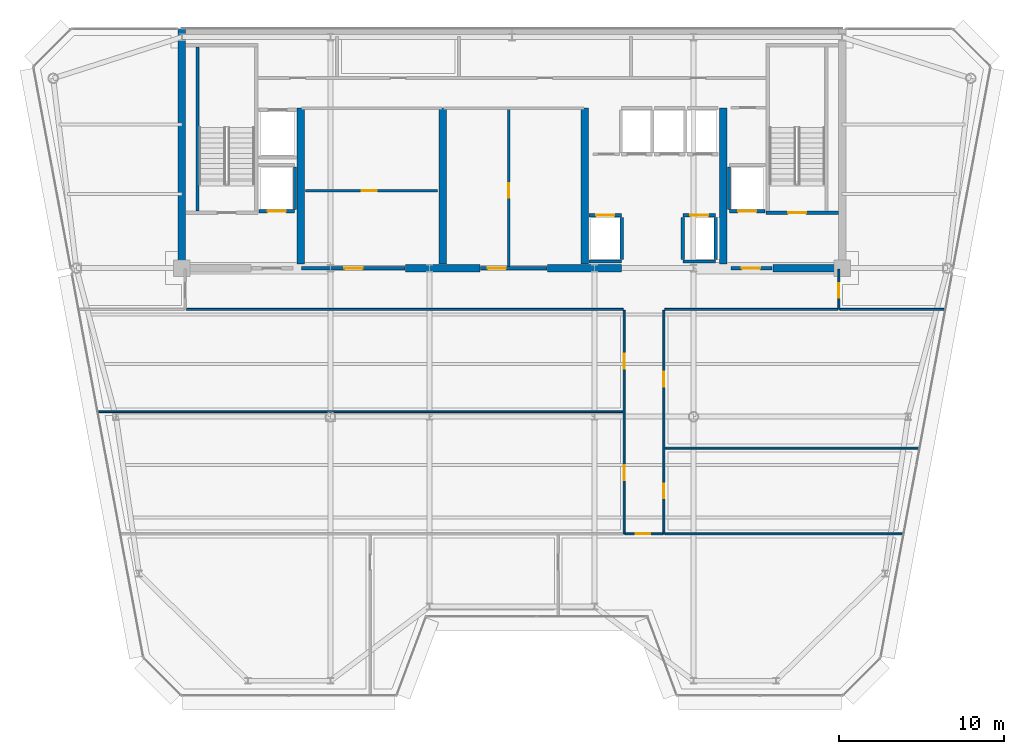
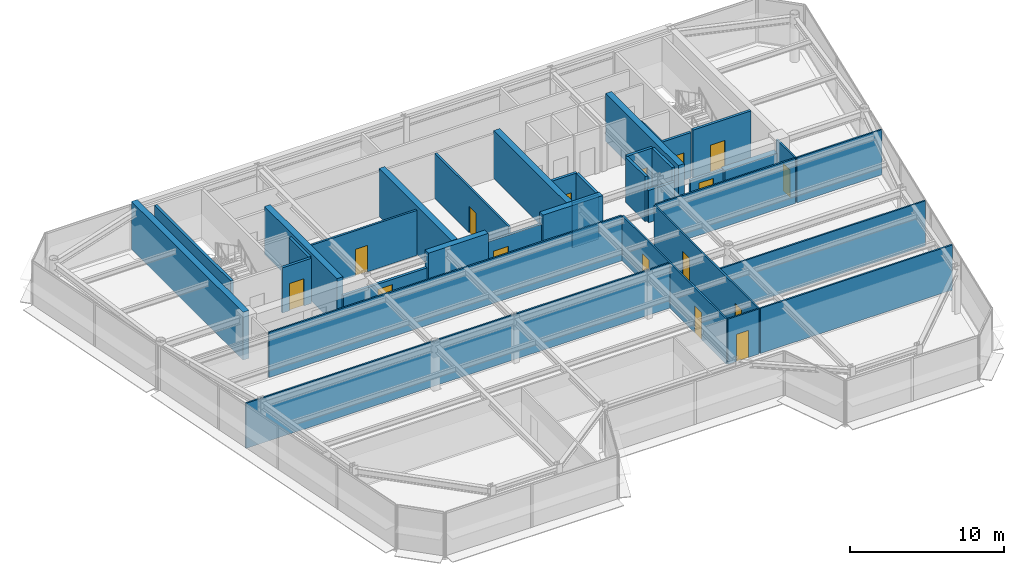
# One storey, part 10 of 18: 36 walls, 16 doors, 16 openings.
"""IFC4 building model written with IfcOpenShell, lengths in metres."""

from ifc_helpers import new_model, si_unit, direction, frame, frame_2d, origin, place, context, subcontext, project, spatial, rectangle, extrude, source, transform, mapped, material, layer, layer_set, type_object, element, fill, save


model = new_model("IFC4")

# Units and contexts
model_context = context("Model", 3, precision=1e-05, world=origin(), true_north=direction((0.0, 1.0)))
body_context = subcontext(model_context, "Body", "Model", "MODEL_VIEW")
ifc_project = project(units=[si_unit("LENGTHUNIT", "METRE"), si_unit("AREAUNIT", "SQUARE_METRE"), si_unit("VOLUMEUNIT", "CUBIC_METRE"), si_unit("PLANEANGLEUNIT", "RADIAN"), si_unit("MASSUNIT", "GRAM", prefix="KILO")], contexts=[model_context])

# Site, building, storey
site_placement = place(None, origin())
site = spatial("IfcSite", under=ifc_project, at=site_placement, CompositionType="ELEMENT")
building_placement = place(site_placement, origin())
building = spatial("IfcBuilding", under=site, at=building_placement, Name="Vaeldorn Concourse Tower", CompositionType="ELEMENT")
storey_placement = place(building_placement, frame((0.0, 0.0, 253.60009765625)))
storey = spatial("IfcBuildingStorey", under=building, at=storey_placement, Name="L65", CompositionType="ELEMENT", Elevation=253.60009765625)

# Walls
ifc_material_1 = material(Name="Concrete C50/60", Category="concrete")
ifc_layer_1 = layer(ifc_material_1, 0.449951171875)
ifc_layer_set_1 = layer_set([ifc_layer_1], Name="Concrete C50/60")
wall_type_1 = type_object("IfcWallType", Name="WL-CORE-450", PredefinedType="SHEAR", material=ifc_layer_set_1)
wall_1_placement = place(storey_placement, frame((14.0, 36.5, 0.0), z_axis=(0.0, 0.0, 1.0), x_axis=(0.0, 1.0, 0.0)))
element("IfcWall", 1, at=wall_1_placement, inside=storey, type_object=wall_type_1, Name="Rear Core Shear Wall L65 W1", PredefinedType="SHEAR", context=body_context, shape_type="SweptSolid", body=[
    extrude(rectangle(XDim=14.5, YDim=0.449951171875, at=frame_2d((7.25, 0.0))), origin(), (0.0, 0.0, 1.0), 3.7998046875),
])
for number, where, z_axis, x_axis, name in (
    (2, (27.550048828125, 36.5, 0.0), (0.0, 0.0, 1.0), (1.0, 0.0, 0.0), "Rear Core Shear Wall L65 S2"),
    (3, (36.14990234375, 36.5, 0.0), (0.0, 0.0, 1.0), (1.0, 0.0, 0.0), "Rear Core Shear Wall L65 S3"),
):
    element("IfcWall", number, at=place(storey_placement, frame(where, z_axis=z_axis, x_axis=x_axis)), inside=storey, type_object=wall_type_1, Name=name, PredefinedType="SHEAR", context=body_context, shape_type="SweptSolid", body=[
        extrude(rectangle(XDim=4.5, YDim=0.449951171875, at=frame_2d((2.25, 0.0))), origin(), (0.0, 0.0, 1.0), 3.7998046875),
    ])
wall_2_placement = place(storey_placement, frame((49.800048828125, 36.5, 0.0), z_axis=(0.0, 0.0, 1.0), x_axis=(1.0, 0.0, 0.0)))
element("IfcWall", 4, at=wall_2_placement, inside=storey, type_object=wall_type_1, Name="Rear Core Shear Wall L65 S4", PredefinedType="SHEAR", context=body_context, shape_type="SweptSolid", body=[
    extrude(rectangle(XDim=3.954833984375, YDim=0.449951171875, at=frame_2d((1.9775390625, 0.0))), origin(), (0.0, 0.0, 1.0), 2.579833984375),
])
for number, where, z_axis, x_axis, name in (
    (5, (21.199951171875, 36.7451171875, 0.0), (0.0, 0.0, 1.0), (0.0, 1.0, 0.0), "Rear Core Shear Wall L65 M1"),
    (6, (29.800048828125, 36.7451171875, 0.0), (0.0, 0.0, 1.0), (0.0, 1.0, 0.0), "Rear Core Shear Wall L65 M2"),
    (7, (38.39990234375, 36.7451171875, 0.0), (0.0, 0.0, 1.0), (0.0, 1.0, 0.0), "Rear Core Shear Wall L65 M3"),
    (8, (46.800048828125, 36.7451171875, 0.0), (0.0, 0.0, 1.0), (0.0, 1.0, 0.0), "Rear Core Shear Wall L65 M4"),
):
    element("IfcWall", number, at=place(storey_placement, frame(where, z_axis=z_axis, x_axis=x_axis)), inside=storey, type_object=wall_type_1, Name=name, PredefinedType="SHEAR", context=body_context, shape_type="SweptSolid", body=[
        extrude(rectangle(XDim=9.454833984375, YDim=0.449951171875, at=frame_2d((4.7275390625, 0.0))), origin(), (0.0, 0.0, 1.0), 3.7998046875),
    ])
ifc_material_2 = material(Name="Gypsum Board Partition", Category="gypsum")
ifc_layer_2 = layer(ifc_material_2, 0.1201171875)
ifc_layer_set_2 = layer_set([ifc_layer_2], Name="Gypsum Board Partition")
wall_type_2 = type_object("IfcWallType", Name="WL-PART-120", PredefinedType="PARTITIONING", material=ifc_layer_set_2)
wall_3_placement = place(storey_placement, frame((14.260009765625, 34.0, 0.0), z_axis=(0.0, 0.0, 1.0), x_axis=(1.0, 0.0, 0.0)))
element("IfcWall", 9, at=wall_3_placement, inside=storey, type_object=wall_type_2, Name="Interior Wall PW-L65-C3SW", PredefinedType="PARTITIONING", context=body_context, shape_type="SweptSolid", body=[
    extrude(rectangle(XDim=26.47998046875, YDim=0.1201171875, at=frame_2d((13.239990234375, 0.0))), origin(), (0.0, 0.0, 1.0), 3.579833984375),
])
wall_4_placement = place(storey_placement, frame((43.260009765625, 34.0, 0.0), z_axis=(0.0, 0.0, 1.0), x_axis=(1.0, 0.0, 0.0)))
element("IfcWall", 10, at=wall_4_placement, inside=storey, type_object=wall_type_2, Name="Interior Wall PW-L65-C3SE", PredefinedType="PARTITIONING", context=body_context, shape_type="SweptSolid", body=[
    extrude(rectangle(XDim=10.47998046875, YDim=0.1201171875, at=frame_2d((5.239990234375, 0.0))), origin(), (0.0, 0.0, 1.0), 3.579833984375),
])

# Wall, opening, door
wall_5_placement = place(storey_placement, frame((53.800048828125, 34.0, 0.0), z_axis=(0.0, 0.0, 1.0), x_axis=(0.0, 1.0, 0.0)))
wall_5 = element("IfcWall", 11, at=wall_5_placement, inside=storey, type_object=wall_type_2, Name="Interior Wall PW-L65-C3E", PredefinedType="PARTITIONING", context=body_context, shape_type="SweptSolid", body=[
    extrude(rectangle(XDim=2.43994140625, YDim=0.1201171875, at=frame_2d((1.219970703125, 0.0))), origin(), (0.0, 0.0, 1.0), 3.579833984375),
])
opening_1_placement = place(wall_5_placement, frame((0.699951171875, 0.0, 0.0)))
opening_1 = element("IfcOpeningElement", 12, at=opening_1_placement, cuts=wall_5, Name="Opening D-03", PredefinedType="OPENING", context=body_context, shape_type="SweptSolid", body=[
    extrude(rectangle(XDim=0.89990234375, YDim=2.14990234375, at=frame_2d((0.449951171875, 1.074951171875))), frame((0.0, 0.070068359375, 0.0), z_axis=(0.0, -1.0, 0.0), x_axis=(1.0, 0.0, 0.0)), (0.0, 0.0, 1.0), 0.14013671875),
])
ifc_material_3 = material(Name="Acoustic Bronze-Framed Glass Door", Category="glass")
door_type_1 = type_object("IfcDoorType", Name="DR-INT-900", OperationType="NOTDEFINED", PredefinedType="DOOR", material=ifc_material_3)
shared_shape_1 = source(origin(), body_context, "Body", "SweptSolid", [
    extrude(rectangle(XDim=0.89990234375, YDim=2.14990234375, at=frame_2d((0.449951171875, 1.074951171875))), frame((0.0, 0.02490234375, 0.0), z_axis=(0.0, -1.0, 0.0), x_axis=(1.0, 0.0, 0.0)), (0.0, 0.0, 1.0), 0.050048828125),
])
door_1_placement = place(opening_1_placement, origin())
door_1 = element("IfcDoor", 13, at=door_1_placement, inside=storey, type_object=door_type_1, Name="Interior Door DR-L65-Z3NE", OperationType="SINGLE_SWING_RIGHT", OverallHeight=2.14990234375, OverallWidth=0.89990234375, PredefinedType="DOOR", context=body_context, shape_type="MappedRepresentation", body=[
    mapped(shared_shape_1, transform((0.0, 0.0, 0.0), scale=1.0)),
])
fill(opening_1, door_1)

# Wall, openings, doors
wall_6_placement = place(storey_placement, frame((40.800048828125, 20.39990234375, 0.0), z_axis=(0.0, 0.0, 1.0), x_axis=(0.0, 1.0, 0.0)))
wall_6 = element("IfcWall", 14, at=wall_6_placement, inside=storey, type_object=wall_type_2, Name="Interior Wall PW-L65-CSPW", PredefinedType="PARTITIONING", context=body_context, shape_type="SweptSolid", body=[
    extrude(rectangle(XDim=13.5400390625, YDim=0.1201171875, at=frame_2d((6.77001953125, 0.0))), origin(), (0.0, 0.0, 1.0), 3.579833984375),
])
opening_2_placement = place(wall_6_placement, frame((3.25, 0.0, 0.0)))
opening_2 = element("IfcOpeningElement", 15, at=opening_2_placement, cuts=wall_6, Name="Opening D-03", PredefinedType="OPENING", context=body_context, shape_type="SweptSolid", body=[
    extrude(rectangle(XDim=0.89990234375, YDim=2.14990234375, at=frame_2d((0.449951171875, 1.074951171875))), frame((0.0, 0.070068359375, 0.0), z_axis=(0.0, -1.0, 0.0), x_axis=(1.0, 0.0, 0.0)), (0.0, 0.0, 1.0), 0.14013671875),
])
opening_3_placement = place(wall_6_placement, frame((10.02001953125, 0.0, 0.0)))
opening_3 = element("IfcOpeningElement", 16, at=opening_3_placement, cuts=wall_6, Name="Opening D-03", PredefinedType="OPENING", context=body_context, shape_type="SweptSolid", body=[
    extrude(rectangle(XDim=0.89990234375, YDim=2.14990234375, at=frame_2d((0.449951171875, 1.074951171875))), frame((0.0, 0.070068359375, 0.0), z_axis=(0.0, -1.0, 0.0), x_axis=(1.0, 0.0, 0.0)), (0.0, 0.0, 1.0), 0.14013671875),
])
door_2_placement = place(opening_2_placement, origin())
door_2 = element("IfcDoor", 17, at=door_2_placement, inside=storey, type_object=door_type_1, Name="Interior Door DR-L65-Z3W1", OperationType="SINGLE_SWING_LEFT", OverallHeight=2.14990234375, OverallWidth=0.89990234375, PredefinedType="DOOR", context=body_context, shape_type="MappedRepresentation", body=[
    mapped(shared_shape_1, transform((0.0, 0.0, 0.0), scale=1.0)),
])
fill(opening_2, door_2)
door_3_placement = place(opening_3_placement, origin())
door_3 = element("IfcDoor", 18, at=door_3_placement, inside=storey, type_object=door_type_1, Name="Interior Door DR-L65-Z3W2", OperationType="SINGLE_SWING_RIGHT", OverallHeight=2.14990234375, OverallWidth=0.89990234375, PredefinedType="DOOR", context=body_context, shape_type="MappedRepresentation", body=[
    mapped(shared_shape_1, transform((0.0, 0.0, 0.0), scale=1.0)),
])
fill(opening_3, door_3)

wall_7_placement = place(storey_placement, frame((43.199951171875, 20.39990234375, 0.0), z_axis=(0.0, 0.0, 1.0), x_axis=(0.0, 1.0, 0.0)))
wall_7 = element("IfcWall", 19, at=wall_7_placement, inside=storey, type_object=wall_type_2, Name="Interior Wall PW-L65-CSPE", PredefinedType="PARTITIONING", context=body_context, shape_type="SweptSolid", body=[
    extrude(rectangle(XDim=13.5400390625, YDim=0.1201171875, at=frame_2d((6.77001953125, 0.0))), origin(), (0.0, 0.0, 1.0), 3.579833984375),
])
opening_4_placement = place(wall_7_placement, frame((2.14990234375, 0.0, 0.0)))
opening_4 = element("IfcOpeningElement", 20, at=opening_4_placement, cuts=wall_7, Name="Opening D-03", PredefinedType="OPENING", context=body_context, shape_type="SweptSolid", body=[
    extrude(rectangle(XDim=0.89990234375, YDim=2.14990234375, at=frame_2d((0.449951171875, 1.074951171875))), frame((0.0, 0.070068359375, 0.0), z_axis=(0.0, -1.0, 0.0), x_axis=(1.0, 0.0, 0.0)), (0.0, 0.0, 1.0), 0.14013671875),
])
opening_5_placement = place(wall_7_placement, frame((8.919921875, 0.0, 0.0)))
opening_5 = element("IfcOpeningElement", 21, at=opening_5_placement, cuts=wall_7, Name="Opening D-03", PredefinedType="OPENING", context=body_context, shape_type="SweptSolid", body=[
    extrude(rectangle(XDim=0.89990234375, YDim=2.14990234375, at=frame_2d((0.449951171875, 1.074951171875))), frame((0.0, 0.070068359375, 0.0), z_axis=(0.0, -1.0, 0.0), x_axis=(1.0, 0.0, 0.0)), (0.0, 0.0, 1.0), 0.14013671875),
])
door_4_placement = place(opening_4_placement, origin())
door_4 = element("IfcDoor", 22, at=door_4_placement, inside=storey, type_object=door_type_1, Name="Interior Door DR-L65-Z3E1", OperationType="SINGLE_SWING_RIGHT", OverallHeight=2.14990234375, OverallWidth=0.89990234375, PredefinedType="DOOR", context=body_context, shape_type="MappedRepresentation", body=[
    mapped(shared_shape_1, transform((0.0, 0.0, 0.0), scale=1.0)),
])
fill(opening_4, door_4)
door_5_placement = place(opening_5_placement, origin())
door_5 = element("IfcDoor", 23, at=door_5_placement, inside=storey, type_object=door_type_1, Name="Interior Door DR-L65-Z3E2", OperationType="SINGLE_SWING_LEFT", OverallHeight=2.14990234375, OverallWidth=0.89990234375, PredefinedType="DOOR", context=body_context, shape_type="MappedRepresentation", body=[
    mapped(shared_shape_1, transform((0.0, 0.0, 0.0), scale=1.0)),
])
fill(opening_5, door_5)

# Wall, opening, door
wall_8_placement = place(storey_placement, frame((40.840087890625, 20.39990234375, 0.0), z_axis=(0.0, 0.0, 1.0), x_axis=(1.0, 0.0, 0.0)))
wall_8 = element("IfcWall", 24, at=wall_8_placement, inside=storey, type_object=wall_type_2, Name="Interior Wall PW-L65-CSPS", PredefinedType="PARTITIONING", context=body_context, shape_type="SweptSolid", body=[
    extrude(rectangle(XDim=2.31982421875, YDim=0.1201171875, at=frame_2d((1.159912109375, 0.0))), origin(), (0.0, 0.0, 1.0), 3.579833984375),
])
opening_6_placement = place(wall_8_placement, frame((0.64990234375, 0.0, 0.0)))
opening_6 = element("IfcOpeningElement", 25, at=opening_6_placement, cuts=wall_8, Name="Opening D-03", PredefinedType="OPENING", context=body_context, shape_type="SweptSolid", body=[
    extrude(rectangle(XDim=0.89990234375, YDim=2.14990234375, at=frame_2d((0.449951171875, 1.074951171875))), frame((0.0, 0.070068359375, 0.0), z_axis=(0.0, -1.0, 0.0), x_axis=(1.0, 0.0, 0.0)), (0.0, 0.0, 1.0), 0.14013671875),
])
door_6_placement = place(opening_6_placement, origin())
door_6 = element("IfcDoor", 26, at=door_6_placement, inside=storey, type_object=door_type_1, Name="Interior Door DR-L65-Z3SM", OperationType="SINGLE_SWING_LEFT", OverallHeight=2.14990234375, OverallWidth=0.89990234375, PredefinedType="DOOR", context=body_context, shape_type="MappedRepresentation", body=[
    mapped(shared_shape_1, transform((0.0, 0.0, 0.0), scale=1.0)),
])
fill(opening_6, door_6)

# Walls
wall_9_placement = place(storey_placement, frame((53.860107421875, 34.0, 0.0), z_axis=(0.0, 0.0, 1.0), x_axis=(1.0, 0.0, 0.0)))
element("IfcWall", 27, at=wall_9_placement, inside=storey, type_object=wall_type_2, Name="Interior Wall PW-L65-Z3NEB", PredefinedType="PARTITIONING", context=body_context, shape_type="SweptSolid", body=[
    extrude(rectangle(XDim=6.36279296875, YDim=0.1201171875, at=frame_2d((3.181396484375, 0.0))), origin(), (0.0, 0.0, 1.0), 3.579833984375),
])
wall_10_placement = place(storey_placement, frame((8.931640625, 27.800048828125, 0.0), z_axis=(0.0, 0.0, 1.0), x_axis=(1.0, 0.0, 0.0)))
element("IfcWall", 28, at=wall_10_placement, inside=storey, type_object=wall_type_2, Name="Interior Wall PW-L65-Z3WY1", PredefinedType="PARTITIONING", context=body_context, shape_type="SweptSolid", body=[
    extrude(rectangle(XDim=31.808349609375, YDim=0.1201171875, at=frame_2d((15.904296875, 0.0))), origin(), (0.0, 0.0, 1.0), 3.579833984375),
])
wall_11_placement = place(storey_placement, frame((43.260009765625, 25.60009765625, 0.0), z_axis=(0.0, 0.0, 1.0), x_axis=(1.0, 0.0, 0.0)))
element("IfcWall", 29, at=wall_11_placement, inside=storey, type_object=wall_type_2, Name="Interior Wall PW-L65-Z3EY1", PredefinedType="PARTITIONING", context=body_context, shape_type="SweptSolid", body=[
    extrude(rectangle(XDim=15.398681640625, YDim=0.1201171875, at=frame_2d((7.69921875, 0.0))), origin(), (0.0, 0.0, 1.0), 3.579833984375),
])
wall_12_placement = place(storey_placement, frame((43.260009765625, 20.39990234375, 0.0), z_axis=(0.0, 0.0, 1.0), x_axis=(1.0, 0.0, 0.0)))
element("IfcWall", 30, at=wall_12_placement, inside=storey, type_object=wall_type_2, Name="Interior Wall PW-L65-Z3SEL", PredefinedType="PARTITIONING", context=body_context, shape_type="SweptSolid", body=[
    extrude(rectangle(XDim=14.430419921875, YDim=0.1201171875, at=frame_2d((7.21533203125, 0.0))), origin(), (0.0, 0.0, 1.0), 3.579833984375),
])

# Wall, opening, door
ifc_layer_3 = layer(ifc_material_2, 0.14990234375)
ifc_layer_set_3 = layer_set([ifc_layer_3], Name="Gypsum Board Partition")
wall_type_3 = type_object("IfcWallType", Name="WL-PART-150", PredefinedType="PARTITIONING", material=ifc_layer_set_3)
wall_13_placement = place(storey_placement, frame((21.5, 41.199951171875, 0.0), z_axis=(0.0, 0.0, 1.0), x_axis=(1.0, 0.0, 0.0)))
wall_13 = element("IfcWall", 31, at=wall_13_placement, inside=storey, type_object=wall_type_3, Name="Interior Wall CW-L65-R1M", PredefinedType="PARTITIONING", context=body_context, shape_type="SweptSolid", body=[
    extrude(rectangle(XDim=8.0, YDim=0.14990234375, at=frame_2d((4.0, 0.0))), origin(), (0.0, 0.0, 1.0), 3.579833984375),
])
opening_7_placement = place(wall_13_placement, frame((3.39990234375, 0.0, 0.0)))
opening_7 = element("IfcOpeningElement", 32, at=opening_7_placement, cuts=wall_13, Name="Opening D-02", PredefinedType="OPENING", context=body_context, shape_type="SweptSolid", body=[
    extrude(rectangle(XDim=0.89990234375, YDim=2.10009765625, at=frame_2d((0.449951171875, 1.050048828125))), frame((0.0, 0.0849609375, 0.0), z_axis=(0.0, -1.0, 0.0), x_axis=(1.0, 0.0, 0.0)), (0.0, 0.0, 1.0), 0.169921875),
])
ifc_material_4 = material(Name="Fire-Rated Timber Leaf", Category="wood")
door_type_2 = type_object("IfcDoorType", Name="DR-FD30-900", OperationType="NOTDEFINED", PredefinedType="DOOR", material=ifc_material_4)
shared_shape_2 = source(origin(), body_context, "Body", "SweptSolid", [
    extrude(rectangle(XDim=0.89990234375, YDim=2.10009765625, at=frame_2d((0.449951171875, 1.050048828125))), frame((0.0, 0.02490234375, 0.0), z_axis=(0.0, -1.0, 0.0), x_axis=(1.0, 0.0, 0.0)), (0.0, 0.0, 1.0), 0.050048828125),
])
door_7_placement = place(opening_7_placement, origin())
door_7 = element("IfcDoor", 33, at=door_7_placement, inside=storey, type_object=door_type_2, Name="Interior Door DR-L65-R1M", OperationType="SINGLE_SWING_RIGHT", OverallHeight=2.10009765625, OverallWidth=0.89990234375, PredefinedType="DOOR", context=body_context, shape_type="MappedRepresentation", body=[
    mapped(shared_shape_2, transform((0.0, 0.0, 0.0), scale=1.0)),
])
fill(opening_7, door_7)

wall_14_placement = place(storey_placement, frame((33.800048828125, 36.56005859375, 0.0), z_axis=(0.0, 0.0, 1.0), x_axis=(0.0, 1.0, 0.0)))
wall_14 = element("IfcWall", 34, at=wall_14_placement, inside=storey, type_object=wall_type_3, Name="Interior Wall CW-L65-R2M", PredefinedType="PARTITIONING", context=body_context, shape_type="SweptSolid", body=[
    extrude(rectangle(XDim=9.579833984375, YDim=0.14990234375, at=frame_2d((4.7900390625, 0.0))), origin(), (0.0, 0.0, 1.0), 3.579833984375),
])
opening_8_placement = place(wall_14_placement, frame((4.199951171875, 0.0, 0.0)))
opening_8 = element("IfcOpeningElement", 35, at=opening_8_placement, cuts=wall_14, Name="Opening D-02", PredefinedType="OPENING", context=body_context, shape_type="SweptSolid", body=[
    extrude(rectangle(XDim=0.89990234375, YDim=2.10009765625, at=frame_2d((0.449951171875, 1.050048828125))), frame((0.0, 0.0849609375, 0.0), z_axis=(0.0, -1.0, 0.0), x_axis=(1.0, 0.0, 0.0)), (0.0, 0.0, 1.0), 0.169921875),
])
door_8_placement = place(opening_8_placement, origin())
door_8 = element("IfcDoor", 36, at=door_8_placement, inside=storey, type_object=door_type_2, Name="Interior Door DR-L65-R2E", OperationType="SINGLE_SWING_RIGHT", OverallHeight=2.10009765625, OverallWidth=0.89990234375, PredefinedType="DOOR", context=body_context, shape_type="MappedRepresentation", body=[
    mapped(shared_shape_2, transform((0.0, 0.0, 0.0), scale=1.0)),
])
fill(opening_8, door_8)

# Wall
ifc_layer_4 = layer(ifc_material_1, 0.199951171875)
ifc_layer_set_4 = layer_set([ifc_layer_4], Name="Concrete C50/60")
wall_type_4 = type_object("IfcWallType", Name="WL-SHAFT-200", PredefinedType="SOLIDWALL", material=ifc_layer_set_4)
wall_15_placement = place(storey_placement, frame((14.949951171875, 39.9599609375, 0.0), z_axis=(0.0, 0.0, 1.0), x_axis=(0.0, 1.0, 0.0)))
element("IfcWall", 37, at=wall_15_placement, inside=storey, type_object=wall_type_4, Name="Stair Shaft Wall CW-L65-ST-1-W", PredefinedType="SOLIDWALL", context=body_context, shape_type="SweptSolid", body=[
    extrude(rectangle(XDim=9.929931640625, YDim=0.199951171875, at=frame_2d((4.96484375, 0.0))), origin(), (0.0, 0.0, 1.0), 3.7998046875),
])

# Wall, opening, door
wall_16_placement = place(storey_placement, frame((49.39990234375, 39.85009765625, 0.0), z_axis=(0.0, 0.0, 1.0), x_axis=(1.0, 0.0, 0.0)))
wall_16 = element("IfcWall", 38, at=wall_16_placement, inside=storey, type_object=wall_type_4, Name="Stair Shaft Wall CW-L65-ST-2-S", PredefinedType="SOLIDWALL", context=body_context, shape_type="SweptSolid", body=[
    extrude(rectangle(XDim=4.375, YDim=0.199951171875, at=frame_2d((2.1875, 0.0))), origin(), (0.0, 0.0, 1.0), 3.7998046875),
])
opening_9_placement = place(wall_16_placement, frame((1.324951171875, 0.0, 0.0)))
opening_9 = element("IfcOpeningElement", 39, at=opening_9_placement, cuts=wall_16, Name="Opening D-01", PredefinedType="OPENING", context=body_context, shape_type="SweptSolid", body=[
    extrude(rectangle(XDim=1.10009765625, YDim=2.14990234375, at=frame_2d((0.550048828125, 1.074951171875))), frame((0.0, 0.10986328125, 0.0), z_axis=(0.0, -1.0, 0.0), x_axis=(1.0, 0.0, 0.0)), (0.0, 0.0, 1.0), 0.219970703125),
])
ifc_material_5 = material(Name="Fire-Rated Timber and Steel Leaf", Category="steel")
door_type_3 = type_object("IfcDoorType", Name="DR-FD60-1100", OperationType="NOTDEFINED", PredefinedType="DOOR", material=ifc_material_5)
shared_shape_3 = source(origin(), body_context, "Body", "SweptSolid", [
    extrude(rectangle(XDim=1.10009765625, YDim=2.14990234375, at=frame_2d((0.550048828125, 1.074951171875))), frame((0.0, 0.02490234375, 0.0), z_axis=(0.0, -1.0, 0.0), x_axis=(1.0, 0.0, 0.0)), (0.0, 0.0, 1.0), 0.050048828125),
])
door_9_placement = place(opening_9_placement, origin())
door_9 = element("IfcDoor", 40, at=door_9_placement, inside=storey, type_object=door_type_3, Name="Interior Door DR-L65-ST-2", OperationType="SINGLE_SWING_RIGHT", OverallHeight=2.14990234375, OverallWidth=1.10009765625, PredefinedType="DOOR", context=body_context, shape_type="MappedRepresentation", body=[
    mapped(shared_shape_3, transform((0.0, 0.0, 0.0), scale=1.0)),
])
fill(opening_9, door_9)

wall_17_placement = place(storey_placement, frame((47.280029296875, 36.5, 0.0), z_axis=(0.0, 0.0, 1.0), x_axis=(1.0, 0.0, 0.0)))
wall_17 = element("IfcWall", 41, at=wall_17_placement, inside=storey, type_object=wall_type_4, Name="Interior Wall CW-L65-FF2S", PredefinedType="SOLIDWALL", context=body_context, shape_type="SweptSolid", body=[
    extrude(rectangle(XDim=2.469970703125, YDim=0.199951171875, at=frame_2d((1.23486328125, 0.0))), origin(), (0.0, 0.0, 1.0), 2.56982421875),
])
opening_10_placement = place(wall_17_placement, frame((0.64990234375, 0.0, 0.0)))
opening_10 = element("IfcOpeningElement", 42, at=opening_10_placement, cuts=wall_17, Name="Opening D-01", PredefinedType="OPENING", context=body_context, shape_type="SweptSolid", body=[
    extrude(rectangle(XDim=1.10009765625, YDim=2.14990234375, at=frame_2d((0.550048828125, 1.074951171875))), frame((0.0, 0.10986328125, 0.0), z_axis=(0.0, -1.0, 0.0), x_axis=(1.0, 0.0, 0.0)), (0.0, 0.0, 1.0), 0.219970703125),
])
door_10_placement = place(opening_10_placement, origin())
door_10 = element("IfcDoor", 43, at=door_10_placement, inside=storey, type_object=door_type_3, Name="Interior Door DR-L65-FF2W", OperationType="SINGLE_SWING_LEFT", OverallHeight=2.14990234375, OverallWidth=1.10009765625, PredefinedType="DOOR", context=body_context, shape_type="MappedRepresentation", body=[
    mapped(shared_shape_3, transform((0.0, 0.0, 0.0), scale=1.0)),
])
fill(opening_10, door_10)

wall_18_placement = place(storey_placement, frame((38.669921875, 39.699951171875, 0.0), z_axis=(0.0, 0.0, 1.0), x_axis=(1.0, 0.0, 0.0)))
wall_18 = element("IfcWall", 44, at=wall_18_placement, inside=storey, type_object=wall_type_4, Name="Interior Wall CW-L65-LF-LF-13", PredefinedType="SOLIDWALL", context=body_context, shape_type="SweptSolid", body=[
    extrude(rectangle(XDim=1.9599609375, YDim=0.199951171875, at=frame_2d((0.97998046875, 0.0))), origin(), (0.0, 0.0, 1.0), 3.579833984375),
])
opening_11_placement = place(wall_18_placement, frame((0.429931640625, 0.0, 0.0)))
opening_11 = element("IfcOpeningElement", 45, at=opening_11_placement, cuts=wall_18, Name="Opening LD-1", PredefinedType="OPENING", context=body_context, shape_type="SweptSolid", body=[
    extrude(rectangle(XDim=1.10009765625, YDim=2.14990234375, at=frame_2d((0.550048828125, 1.074951171875))), frame((0.0, 0.10986328125, 0.0), z_axis=(0.0, -1.0, 0.0), x_axis=(1.0, 0.0, 0.0)), (0.0, 0.0, 1.0), 0.219970703125),
])
ifc_material_6 = material(Name="Anodised Bronze Aluminium", Category="aluminium")
door_type_4 = type_object("IfcDoorType", Name="DR-LIFT-SLIDE-1100", OperationType="DOUBLE_DOOR_SLIDING", PredefinedType="DOOR", material=ifc_material_6)
door_11_placement = place(opening_11_placement, origin())
door_11 = element("IfcDoor", 46, at=door_11_placement, inside=storey, type_object=door_type_4, Name="Lift Landing Door LD-L65-LF-13", OperationType="DOUBLE_DOOR_SLIDING", OverallHeight=2.14990234375, OverallWidth=1.10009765625, PredefinedType="DOOR", context=body_context, shape_type="MappedRepresentation", body=[
    mapped(shared_shape_3, transform((0.0, 0.0, 0.0), scale=1.0)),
])
fill(opening_11, door_11)

# Walls
wall_19_placement = place(storey_placement, frame((38.669921875, 36.89990234375, 0.0), z_axis=(0.0, 0.0, 1.0), x_axis=(1.0, 0.0, 0.0)))
element("IfcWall", 47, at=wall_19_placement, inside=storey, type_object=wall_type_4, Name="Interior Wall CW-L65-LFB-LF-13", PredefinedType="SOLIDWALL", context=body_context, shape_type="SweptSolid", body=[
    extrude(rectangle(XDim=1.9599609375, YDim=0.199951171875, at=frame_2d((0.97998046875, 0.0))), origin(), (0.0, 0.0, 1.0), 3.579833984375),
])
wall_20_placement = place(storey_placement, frame((40.64990234375, 37.02001953125, 0.0), z_axis=(0.0, 0.0, 1.0), x_axis=(0.0, 1.0, 0.0)))
element("IfcWall", 48, at=wall_20_placement, inside=storey, type_object=wall_type_4, Name="Interior Wall CW-L65-LFE-LF-13", PredefinedType="SOLIDWALL", context=body_context, shape_type="SweptSolid", body=[
    extrude(rectangle(XDim=2.56005859375, YDim=0.199951171875, at=frame_2d((1.280029296875, 0.0))), origin(), (0.0, 0.0, 1.0), 3.579833984375),
])

# Wall, opening, door
wall_21_placement = place(storey_placement, frame((44.3701171875, 39.699951171875, 0.0), z_axis=(0.0, 0.0, 1.0), x_axis=(1.0, 0.0, 0.0)))
wall_21 = element("IfcWall", 49, at=wall_21_placement, inside=storey, type_object=wall_type_4, Name="Interior Wall CW-L65-LF-LF-14", PredefinedType="SOLIDWALL", context=body_context, shape_type="SweptSolid", body=[
    extrude(rectangle(XDim=1.9599609375, YDim=0.199951171875, at=frame_2d((0.97998046875, 0.0))), origin(), (0.0, 0.0, 1.0), 3.579833984375),
])
opening_12_placement = place(wall_21_placement, frame((0.429931640625, 0.0, 0.0)))
opening_12 = element("IfcOpeningElement", 50, at=opening_12_placement, cuts=wall_21, Name="Opening LD-1", PredefinedType="OPENING", context=body_context, shape_type="SweptSolid", body=[
    extrude(rectangle(XDim=1.10009765625, YDim=2.14990234375, at=frame_2d((0.550048828125, 1.074951171875))), frame((0.0, 0.10986328125, 0.0), z_axis=(0.0, -1.0, 0.0), x_axis=(1.0, 0.0, 0.0)), (0.0, 0.0, 1.0), 0.219970703125),
])
door_12_placement = place(opening_12_placement, origin())
door_12 = element("IfcDoor", 51, at=door_12_placement, inside=storey, type_object=door_type_4, Name="Lift Landing Door LD-L65-LF-14", OperationType="DOUBLE_DOOR_SLIDING", OverallHeight=2.14990234375, OverallWidth=1.10009765625, PredefinedType="DOOR", context=body_context, shape_type="MappedRepresentation", body=[
    mapped(shared_shape_3, transform((0.0, 0.0, 0.0), scale=1.0)),
])
fill(opening_12, door_12)

# Walls
wall_22_placement = place(storey_placement, frame((44.3701171875, 36.89990234375, 0.0), z_axis=(0.0, 0.0, 1.0), x_axis=(1.0, 0.0, 0.0)))
element("IfcWall", 52, at=wall_22_placement, inside=storey, type_object=wall_type_4, Name="Interior Wall CW-L65-LFB-LF-14", PredefinedType="SOLIDWALL", context=body_context, shape_type="SweptSolid", body=[
    extrude(rectangle(XDim=1.9599609375, YDim=0.199951171875, at=frame_2d((0.97998046875, 0.0))), origin(), (0.0, 0.0, 1.0), 2.56982421875),
])
for number, where, z_axis, x_axis, name in (
    (53, (44.35009765625, 37.02001953125, 0.0), (0.0, 0.0, 1.0), (0.0, 1.0, 0.0), "Interior Wall CW-L65-LFW-LF-14"),
    (54, (46.35009765625, 37.02001953125, 0.0), (0.0, 0.0, 1.0), (0.0, 1.0, 0.0), "Interior Wall CW-L65-LFE-LF-14"),
):
    element("IfcWall", number, at=place(storey_placement, frame(where, z_axis=z_axis, x_axis=x_axis)), inside=storey, type_object=wall_type_4, Name=name, PredefinedType="SOLIDWALL", context=body_context, shape_type="SweptSolid", body=[
        extrude(rectangle(XDim=2.56005859375, YDim=0.199951171875, at=frame_2d((1.280029296875, 0.0))), origin(), (0.0, 0.0, 1.0), 3.579833984375),
    ])

# Wall, opening, door
wall_23_placement = place(storey_placement, frame((18.669921875, 39.949951171875, 0.0), z_axis=(0.0, 0.0, 1.0), x_axis=(1.0, 0.0, 0.0)))
wall_23 = element("IfcWall", 55, at=wall_23_placement, inside=storey, type_object=wall_type_4, Name="Interior Wall CW-L65-LF-LF-FF1", PredefinedType="SOLIDWALL", context=body_context, shape_type="SweptSolid", body=[
    extrude(rectangle(XDim=2.16015625, YDim=0.199951171875, at=frame_2d((1.080078125, 0.0))), origin(), (0.0, 0.0, 1.0), 3.579833984375),
])
opening_13_placement = place(wall_23_placement, frame((0.530029296875, 0.0, 0.0)))
opening_13 = element("IfcOpeningElement", 56, at=opening_13_placement, cuts=wall_23, Name="Opening LD-1", PredefinedType="OPENING", context=body_context, shape_type="SweptSolid", body=[
    extrude(rectangle(XDim=1.10009765625, YDim=2.14990234375, at=frame_2d((0.550048828125, 1.074951171875))), frame((0.0, 0.10986328125, 0.0), z_axis=(0.0, -1.0, 0.0), x_axis=(1.0, 0.0, 0.0)), (0.0, 0.0, 1.0), 0.219970703125),
])
door_13_placement = place(opening_13_placement, origin())
door_13 = element("IfcDoor", 57, at=door_13_placement, inside=storey, type_object=door_type_4, Name="Lift Landing Door LD-L65-LF-FF1", OperationType="DOUBLE_DOOR_SLIDING", OverallHeight=2.14990234375, OverallWidth=1.10009765625, PredefinedType="DOOR", context=body_context, shape_type="MappedRepresentation", body=[
    mapped(shared_shape_3, transform((0.0, 0.0, 0.0), scale=1.0)),
])
fill(opening_13, door_13)

# Wall
wall_24_placement = place(storey_placement, frame((20.85009765625, 40.070068359375, 0.0), z_axis=(0.0, 0.0, 1.0), x_axis=(0.0, 1.0, 0.0)))
element("IfcWall", 58, at=wall_24_placement, inside=storey, type_object=wall_type_4, Name="Interior Wall CW-L65-LFE-LF-FF1", PredefinedType="SOLIDWALL", context=body_context, shape_type="SweptSolid", body=[
    extrude(rectangle(XDim=2.559814453125, YDim=0.199951171875, at=frame_2d((1.27978515625, 0.0))), origin(), (0.0, 0.0, 1.0), 3.579833984375),
])

# Wall, opening, door
wall_25_placement = place(storey_placement, frame((47.169921875, 39.949951171875, 0.0), z_axis=(0.0, 0.0, 1.0), x_axis=(1.0, 0.0, 0.0)))
wall_25 = element("IfcWall", 59, at=wall_25_placement, inside=storey, type_object=wall_type_4, Name="Interior Wall CW-L65-LF-LF-FF2", PredefinedType="SOLIDWALL", context=body_context, shape_type="SweptSolid", body=[
    extrude(rectangle(XDim=2.16015625, YDim=0.199951171875, at=frame_2d((1.080078125, 0.0))), origin(), (0.0, 0.0, 1.0), 3.579833984375),
])
opening_14_placement = place(wall_25_placement, frame((0.530029296875, 0.0, 0.0)))
opening_14 = element("IfcOpeningElement", 60, at=opening_14_placement, cuts=wall_25, Name="Opening LD-1", PredefinedType="OPENING", context=body_context, shape_type="SweptSolid", body=[
    extrude(rectangle(XDim=1.10009765625, YDim=2.14990234375, at=frame_2d((0.550048828125, 1.074951171875))), frame((0.0, 0.10986328125, 0.0), z_axis=(0.0, -1.0, 0.0), x_axis=(1.0, 0.0, 0.0)), (0.0, 0.0, 1.0), 0.219970703125),
])
door_14_placement = place(opening_14_placement, origin())
door_14 = element("IfcDoor", 61, at=door_14_placement, inside=storey, type_object=door_type_4, Name="Lift Landing Door LD-L65-LF-FF2", OperationType="DOUBLE_DOOR_SLIDING", OverallHeight=2.14990234375, OverallWidth=1.10009765625, PredefinedType="DOOR", context=body_context, shape_type="MappedRepresentation", body=[
    mapped(shared_shape_3, transform((0.0, 0.0, 0.0), scale=1.0)),
])
fill(opening_14, door_14)

# Wall
wall_26_placement = place(storey_placement, frame((47.14990234375, 40.070068359375, 0.0), z_axis=(0.0, 0.0, 1.0), x_axis=(0.0, 1.0, 0.0)))
element("IfcWall", 62, at=wall_26_placement, inside=storey, type_object=wall_type_4, Name="Interior Wall CW-L65-LFW-LF-FF2", PredefinedType="SOLIDWALL", context=body_context, shape_type="SweptSolid", body=[
    extrude(rectangle(XDim=2.559814453125, YDim=0.199951171875, at=frame_2d((1.27978515625, 0.0))), origin(), (0.0, 0.0, 1.0), 3.579833984375),
])

# Wall, opening, door
wall_27_placement = place(storey_placement, frame((21.25, 36.5, 0.0), z_axis=(0.0, 0.0, 1.0), x_axis=(1.0, 0.0, 0.0)))
wall_27 = element("IfcWall", 63, at=wall_27_placement, inside=storey, type_object=wall_type_4, Name="Interior Wall CW-L65-R1S", PredefinedType="SOLIDWALL", context=body_context, shape_type="SweptSolid", body=[
    extrude(rectangle(XDim=6.27001953125, YDim=0.199951171875, at=frame_2d((3.135009765625, 0.0))), origin(), (0.0, 0.0, 1.0), 2.56982421875),
])
opening_15_placement = place(wall_27_placement, frame((2.60009765625, 0.0, 0.0)))
opening_15 = element("IfcOpeningElement", 64, at=opening_15_placement, cuts=wall_27, Name="Opening D-01", PredefinedType="OPENING", context=body_context, shape_type="SweptSolid", body=[
    extrude(rectangle(XDim=1.10009765625, YDim=2.14990234375, at=frame_2d((0.550048828125, 1.074951171875))), frame((0.0, 0.10986328125, 0.0), z_axis=(0.0, -1.0, 0.0), x_axis=(1.0, 0.0, 0.0)), (0.0, 0.0, 1.0), 0.219970703125),
])
door_15_placement = place(opening_15_placement, origin())
door_15 = element("IfcDoor", 65, at=door_15_placement, inside=storey, type_object=door_type_3, Name="Interior Door DR-L65-R1S", OperationType="SINGLE_SWING_LEFT", OverallHeight=2.14990234375, OverallWidth=1.10009765625, PredefinedType="DOOR", context=body_context, shape_type="MappedRepresentation", body=[
    mapped(shared_shape_3, transform((0.0, 0.0, 0.0), scale=1.0)),
])
fill(opening_15, door_15)

wall_28_placement = place(storey_placement, frame((32.080078125, 36.5, 0.0), z_axis=(0.0, 0.0, 1.0), x_axis=(1.0, 0.0, 0.0)))
wall_28 = element("IfcWall", 66, at=wall_28_placement, inside=storey, type_object=wall_type_4, Name="Interior Wall CW-L65-R2S", PredefinedType="SOLIDWALL", context=body_context, shape_type="SweptSolid", body=[
    extrude(rectangle(XDim=4.0400390625, YDim=0.199951171875, at=frame_2d((2.02001953125, 0.0))), origin(), (0.0, 0.0, 1.0), 3.02001953125),
])
opening_16_placement = place(wall_28_placement, frame((0.449951171875, 0.0, 0.0)))
opening_16 = element("IfcOpeningElement", 67, at=opening_16_placement, cuts=wall_28, Name="Opening D-01", PredefinedType="OPENING", context=body_context, shape_type="SweptSolid", body=[
    extrude(rectangle(XDim=1.10009765625, YDim=2.14990234375, at=frame_2d((0.550048828125, 1.074951171875))), frame((0.0, 0.10986328125, 0.0), z_axis=(0.0, -1.0, 0.0), x_axis=(1.0, 0.0, 0.0)), (0.0, 0.0, 1.0), 0.219970703125),
])
door_16_placement = place(opening_16_placement, origin())
door_16 = element("IfcDoor", 68, at=door_16_placement, inside=storey, type_object=door_type_3, Name="Interior Door DR-L65-R2W", OperationType="SINGLE_SWING_LEFT", OverallHeight=2.14990234375, OverallWidth=1.10009765625, PredefinedType="DOOR", context=body_context, shape_type="MappedRepresentation", body=[
    mapped(shared_shape_3, transform((0.0, 0.0, 0.0), scale=1.0)),
])
fill(opening_16, door_16)

save(model, "model.ifc")
